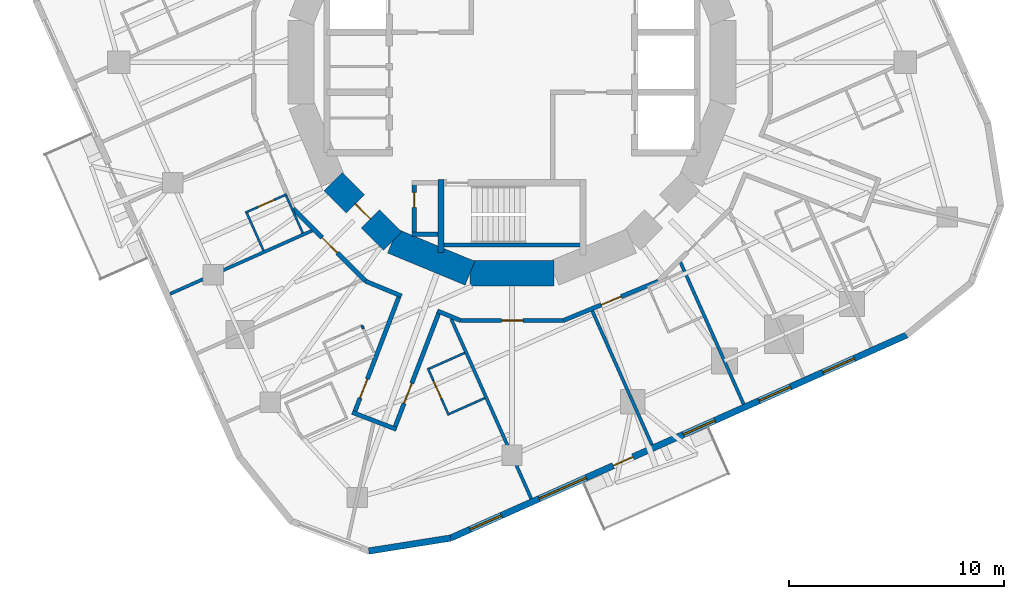
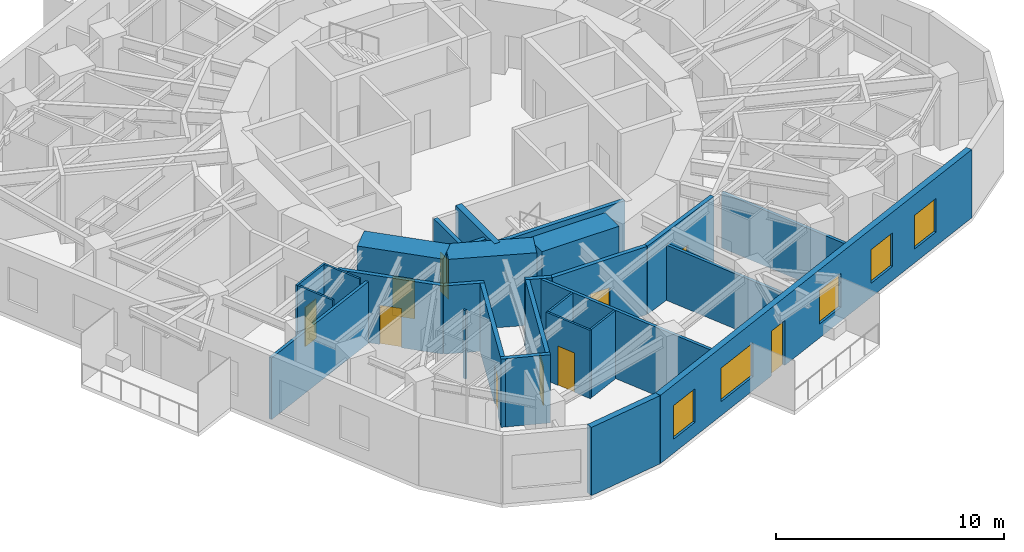
# One storey, part 5 of 12: 28 walls, 10 doors, 5 windows, 15 openings.
"""IFC4 building model written with IfcOpenShell, lengths in metres."""

from ifc_helpers import new_model, si_unit, direction, frame, frame_2d, origin, place, context, subcontext, project, spatial, rectangle, extrude, material, layer, layer_set, type_object, element, fill, save


model = new_model("IFC4")

# Units and contexts
model_context = context("Model", 3, precision=1e-05, world=origin(), true_north=direction((0.0, 1.0)))
body_context = subcontext(model_context, "Body", "Model", "MODEL_VIEW")
ifc_project = project(units=[si_unit("LENGTHUNIT", "METRE"), si_unit("AREAUNIT", "SQUARE_METRE"), si_unit("VOLUMEUNIT", "CUBIC_METRE"), si_unit("PLANEANGLEUNIT", "RADIAN"), si_unit("MASSUNIT", "GRAM", prefix="KILO")], contexts=[model_context])

# Site, building, storey
site_placement = place(None, origin())
site = spatial("IfcSite", under=ifc_project, at=site_placement, CompositionType="ELEMENT")
building_placement = place(site_placement, origin())
building = spatial("IfcBuilding", under=site, at=building_placement, Name="Nakasero Lantern House", CompositionType="ELEMENT")
storey_placement = place(building_placement, frame((0.0, 0.0, 197.85009765625)))
storey = spatial("IfcBuildingStorey", under=building, at=storey_placement, Name="L48", CompositionType="ELEMENT", Elevation=197.85009765625)

# Wall
ifc_material_1 = material(Name="Concrete C50/60", Category="concrete")
ifc_layer_1 = layer(ifc_material_1, 0.300048828125)
ifc_layer_set_1 = layer_set([ifc_layer_1], Name="Core inner wall 300")
wall_type_1 = type_object("IfcWallType", Name="Core inner wall 300", PredefinedType="SHEAR", material=ifc_layer_set_1)
wall_1_placement = place(storey_placement, frame((-3.300048828125, -5.449951171875, 0.0), z_axis=(0.0, 0.0, 1.0), x_axis=(0.0, -1.0, 0.0)))
element("IfcWall", 1, at=wall_1_placement, inside=storey, type_object=wall_type_1, Name="Core inner wall L48 SSW", PredefinedType="SHEAR", context=body_context, shape_type="SweptSolid", body=[
    extrude(rectangle(XDim=3.400146484375, YDim=0.300048828125, at=frame_2d((1.7001953125, 0.0))), origin(), (0.0, 0.0, 1.0), 3.849853515625),
])

# Wall, opening, door
ifc_material_2 = material(Name="Concrete C50/60", Category="concrete")
ifc_layer_2 = layer(ifc_material_2, 1.199951171875)
ifc_layer_set_2 = layer_set([ifc_layer_2], Name="Core wall 1200")
wall_type_2 = type_object("IfcWallType", Name="Core wall 1200", PredefinedType="SHEAR", material=ifc_layer_set_2)
wall_2_placement = place(storey_placement, frame((-8.314697265625, -5.5556640625, 0.0), z_axis=(0.0, 0.0, 1.0), x_axis=(0.707106781187, -0.707106781187, 0.0)))
wall_2 = element("IfcWall", 2, at=wall_2_placement, inside=storey, type_object=wall_type_2, Name="Core wall L48 facet 10", PredefinedType="SHEAR", context=body_context, shape_type="SweptSolid", body=[
    extrude(rectangle(XDim=3.90185546875, YDim=1.199951171875, at=frame_2d((1.950927734375, 0.0))), origin(), (0.0, 0.0, 1.0), 3.849853515625),
])
opening_1_placement = place(wall_2_placement, frame((1.450927734375, 0.0, 0.0)))
opening_1 = element("IfcOpeningElement", 3, at=opening_1_placement, cuts=wall_2, Name="Opening D05", PredefinedType="OPENING", context=body_context, shape_type="SweptSolid", body=[
    extrude(rectangle(XDim=1.0, YDim=2.10009765625, at=frame_2d((0.5, 1.050048828125))), frame((0.0, 0.619873046875, 0.0), z_axis=(0.0, -1.0, 0.0), x_axis=(1.0, 0.0, 0.0)), (0.0, 0.0, 1.0), 1.239990234375),
])
ifc_material_3 = material(Name="Timber C24", Category="wood")
door_type_1 = type_object("IfcDoorType", Name="Core door FD60S 1000", OperationType="SINGLE_SWING_LEFT", PredefinedType="DOOR", material=ifc_material_3)
door_1_placement = place(opening_1_placement, origin())
door_1 = element("IfcDoor", 4, at=door_1_placement, inside=storey, type_object=door_type_1, Name="Door L48 D-CORE10", OperationType="SINGLE_SWING_LEFT", OverallHeight=2.10009765625, OverallWidth=1.0, PredefinedType="DOOR", context=body_context, shape_type="SweptSolid", body=[
    extrude(rectangle(XDim=1.0, YDim=2.10009765625, at=frame_2d((0.5, 1.050048828125))), frame((0.0, 0.02490234375, 0.0), z_axis=(0.0, -1.0, 0.0), x_axis=(1.0, 0.0, 0.0)), (0.0, 0.0, 1.0), 0.050048828125),
])
fill(opening_1, door_1)

# Walls
for number, where, z_axis, x_axis, name in (
    (5, (-5.5556640625, -8.314697265625, 0.0), (0.0, 0.0, 1.0), (0.923876507187, -0.382690736062, 0.0), "Core wall L48 facet 11"),
    (6, (-1.950927734375, -9.807861328125, 0.0), (0.0, 0.0, 1.0), (1.0, 0.0, 0.0), "Core wall L48 facet 12"),
):
    element("IfcWall", number, at=place(storey_placement, frame(where, z_axis=z_axis, x_axis=x_axis)), inside=storey, type_object=wall_type_2, Name=name, PredefinedType="SHEAR", context=body_context, shape_type="SweptSolid", body=[
        extrude(rectangle(XDim=3.90185546875, YDim=1.199951171875, at=frame_2d((1.950927734375, 0.0))), origin(), (0.0, 0.0, 1.0), 3.849853515625),
    ])

# Wall, opening, door
ifc_material_4 = material(Name="Blockwork", Category="masonry")
ifc_layer_3 = layer(ifc_material_4, 0.199951171875)
ifc_layer_set_3 = layer_set([ifc_layer_3], Name="Corridor wall 200")
wall_type_3 = type_object("IfcWallType", Name="Corridor wall 200", PredefinedType="PARTITIONING", material=ifc_layer_set_3)
wall_3_placement = place(storey_placement, frame((6.802001953125, -10.1796875, 0.0), z_axis=(0.0, 0.0, 1.0), x_axis=(-0.923882292998, -0.382676767893, 0.0)))
wall_3 = element("IfcWall", 7, at=wall_3_placement, inside=storey, type_object=wall_type_3, Name="Corridor wall L48 RC03a", PredefinedType="PARTITIONING", context=body_context, shape_type="SweptSolid", body=[
    extrude(rectangle(XDim=4.777099609375, YDim=0.199951171875, at=frame_2d((2.388671875, 0.0))), origin(), (0.0, 0.0, 1.0), 3.64990234375),
])
opening_2_placement = place(wall_3_placement, frame((1.8701171875, 0.0, 0.0)))
opening_2 = element("IfcOpeningElement", 8, at=opening_2_placement, cuts=wall_3, Name="Opening D07", PredefinedType="OPENING", context=body_context, shape_type="SweptSolid", body=[
    extrude(rectangle(XDim=1.0, YDim=2.10009765625, at=frame_2d((0.5, 1.050048828125))), frame((0.0, 0.119873046875, 0.0), z_axis=(0.0, -1.0, 0.0), x_axis=(1.0, 0.0, 0.0)), (0.0, 0.0, 1.0), 0.239990234375),
])
ifc_material_5 = material(Name="Timber C24", Category="wood")
door_type_2 = type_object("IfcDoorType", Name="Room door FD30S 1000", OperationType="SINGLE_SWING_LEFT", PredefinedType="DOOR", material=ifc_material_5)
door_2_placement = place(opening_2_placement, origin())
door_2 = element("IfcDoor", 9, at=door_2_placement, inside=storey, type_object=door_type_2, Name="Door L48 D3-03", OperationType="SINGLE_SWING_LEFT", OverallHeight=2.10009765625, OverallWidth=1.0, PredefinedType="DOOR", context=body_context, shape_type="SweptSolid", body=[
    extrude(rectangle(XDim=1.0, YDim=2.10009765625, at=frame_2d((0.5, 1.050048828125))), frame((0.0, 0.02490234375, 0.0), z_axis=(0.0, -1.0, 0.0), x_axis=(1.0, 0.0, 0.0)), (0.0, 0.0, 1.0), 0.050048828125),
])
fill(opening_2, door_2)

wall_4_placement = place(storey_placement, frame((2.388427734375, -12.0078125, 0.0), z_axis=(0.0, 0.0, 1.0), x_axis=(-1.0, 0.0, 0.0)))
wall_4 = element("IfcWall", 10, at=wall_4_placement, inside=storey, type_object=wall_type_3, Name="Corridor wall L48 RC04a", PredefinedType="PARTITIONING", context=body_context, shape_type="SweptSolid", body=[
    extrude(rectangle(XDim=4.77685546875, YDim=0.199951171875, at=frame_2d((2.388427734375, 0.0))), origin(), (0.0, 0.0, 1.0), 3.64990234375),
])
opening_3_placement = place(wall_4_placement, frame((1.8701171875, 0.0, 0.0)))
opening_3 = element("IfcOpeningElement", 11, at=opening_3_placement, cuts=wall_4, Name="Opening D03", PredefinedType="OPENING", context=body_context, shape_type="SweptSolid", body=[
    extrude(rectangle(XDim=1.0, YDim=2.10009765625, at=frame_2d((0.5, 1.050048828125))), frame((0.0, 0.119873046875, 0.0), z_axis=(0.0, -1.0, 0.0), x_axis=(1.0, 0.0, 0.0)), (0.0, 0.0, 1.0), 0.239990234375),
])
ifc_material_6 = material(Name="Timber C24", Category="wood")
door_type_3 = type_object("IfcDoorType", Name="Lounge door FD30S 1000", OperationType="SINGLE_SWING_LEFT", PredefinedType="DOOR", material=ifc_material_6)
door_3_placement = place(opening_3_placement, origin())
door_3 = element("IfcDoor", 12, at=door_3_placement, inside=storey, type_object=door_type_3, Name="Door L48 DK3", OperationType="SINGLE_SWING_LEFT", OverallHeight=2.10009765625, OverallWidth=1.0, PredefinedType="DOOR", context=body_context, shape_type="SweptSolid", body=[
    extrude(rectangle(XDim=1.0, YDim=2.10009765625, at=frame_2d((0.5, 1.050048828125))), frame((0.0, 0.02490234375, 0.0), z_axis=(0.0, -1.0, 0.0), x_axis=(1.0, 0.0, 0.0)), (0.0, 0.0, 1.0), 0.050048828125),
])
fill(opening_3, door_3)

# Walls
wall_5_placement = place(storey_placement, frame((-2.388427734375, -12.0078125, 0.0), z_axis=(0.0, 0.0, 1.0), x_axis=(-0.923874873612, 0.382694679749, 0.0)))
element("IfcWall", 13, at=wall_5_placement, inside=storey, type_object=wall_type_3, Name="Corridor wall L48 RC05a", PredefinedType="PARTITIONING", context=body_context, shape_type="SweptSolid", body=[
    extrude(rectangle(XDim=1.173828125, YDim=0.199951171875, at=frame_2d((0.5869140625, 0.0))), origin(), (0.0, 0.0, 1.0), 3.64990234375),
])
wall_6_placement = place(storey_placement, frame((-5.136474609375, -10.86962890625, 0.0), z_axis=(0.0, 0.0, 1.0), x_axis=(-0.923868276622, 0.382710605355, 0.0)))
element("IfcWall", 14, at=wall_6_placement, inside=storey, type_object=wall_type_3, Name="Corridor wall L48 RC05b", PredefinedType="PARTITIONING", context=body_context, shape_type="SweptSolid", body=[
    extrude(rectangle(XDim=1.802734375, YDim=0.199951171875, at=frame_2d((0.9013671875, 0.0))), origin(), (0.0, 0.0, 1.0), 3.64990234375),
])

# Wall, opening, door
wall_7_placement = place(storey_placement, frame((-6.802001953125, -10.1796875, 0.0), z_axis=(0.0, 0.0, 1.0), x_axis=(-0.707106781187, 0.707106781187, 0.0)))
wall_7 = element("IfcWall", 15, at=wall_7_placement, inside=storey, type_object=wall_type_3, Name="Corridor wall L48 RC06a", PredefinedType="PARTITIONING", context=body_context, shape_type="SweptSolid", body=[
    extrude(rectangle(XDim=4.77685546875, YDim=0.199951171875, at=frame_2d((2.388427734375, 0.0))), origin(), (0.0, 0.0, 1.0), 3.64990234375),
])
opening_4_placement = place(wall_7_placement, frame((1.8701171875, 0.0, 0.0)))
opening_4 = element("IfcOpeningElement", 16, at=opening_4_placement, cuts=wall_7, Name="Opening D14", PredefinedType="OPENING", context=body_context, shape_type="SweptSolid", body=[
    extrude(rectangle(XDim=1.0, YDim=2.10009765625, at=frame_2d((0.5, 1.050048828125))), frame((0.0, 0.119873046875, 0.0), z_axis=(0.0, -1.0, 0.0), x_axis=(1.0, 0.0, 0.0)), (0.0, 0.0, 1.0), 0.239990234375),
])
ifc_material_7 = material(Name="Timber C24", Category="wood")
door_type_4 = type_object("IfcDoorType", Name="Cluster entrance door FD30S 1000", OperationType="SINGLE_SWING_LEFT", PredefinedType="DOOR", material=ifc_material_7)
door_4_placement = place(opening_4_placement, origin())
door_4 = element("IfcDoor", 17, at=door_4_placement, inside=storey, type_object=door_type_4, Name="Door L48 D2-04", OperationType="SINGLE_SWING_LEFT", OverallHeight=2.10009765625, OverallWidth=1.0, PredefinedType="DOOR", context=body_context, shape_type="SweptSolid", body=[
    extrude(rectangle(XDim=1.0, YDim=2.10009765625, at=frame_2d((0.5, 1.050048828125))), frame((0.0, 0.02490234375, 0.0), z_axis=(0.0, -1.0, 0.0), x_axis=(1.0, 0.0, 0.0)), (0.0, 0.0, 1.0), 0.050048828125),
])
fill(opening_4, door_4)

wall_8_placement = place(storey_placement, frame((-5.22900390625, -10.831298828125, 0.0), z_axis=(0.0, 0.0, 1.0), x_axis=(-0.358357154711, -0.933584570174, 0.0)))
wall_8 = element("IfcWall", 18, at=wall_8_placement, inside=storey, type_object=wall_type_3, Name="Corridor wall L48 SP2a", PredefinedType="PARTITIONING", context=body_context, shape_type="SweptSolid", body=[
    extrude(rectangle(XDim=5.97216796875, YDim=0.199951171875, at=frame_2d((2.986083984375, 0.0))), origin(), (0.0, 0.0, 1.0), 3.64990234375),
])
opening_5_placement = place(wall_8_placement, frame((4.169921875, 0.0, 0.0)))
opening_5 = element("IfcOpeningElement", 19, at=opening_5_placement, cuts=wall_8, Name="Opening D01", PredefinedType="OPENING", context=body_context, shape_type="SweptSolid", body=[
    extrude(rectangle(XDim=0.949951171875, YDim=2.10009765625, at=frame_2d((0.47509765625, 1.050048828125))), frame((0.0, 0.119873046875, 0.0), z_axis=(0.0, -1.0, 0.0), x_axis=(1.0, 0.0, 0.0)), (0.0, 0.0, 1.0), 0.239990234375),
])
ifc_material_8 = material(Name="Timber C24", Category="wood")
door_type_5 = type_object("IfcDoorType", Name="Bedroom door FD30S 950", OperationType="SINGLE_SWING_LEFT", PredefinedType="DOOR", material=ifc_material_8)
door_5_placement = place(opening_5_placement, origin())
door_5 = element("IfcDoor", 20, at=door_5_placement, inside=storey, type_object=door_type_5, Name="Door L48 D2-06", OperationType="SINGLE_SWING_RIGHT", OverallHeight=2.10009765625, OverallWidth=0.949951171875, PredefinedType="DOOR", context=body_context, shape_type="SweptSolid", body=[
    extrude(rectangle(XDim=0.949951171875, YDim=2.10009765625, at=frame_2d((0.47509765625, 1.050048828125))), frame((0.0, 0.02490234375, 0.0), z_axis=(0.0, -1.0, 0.0), x_axis=(1.0, 0.0, 0.0)), (0.0, 0.0, 1.0), 0.050048828125),
])
fill(opening_5, door_5)

wall_9_placement = place(storey_placement, frame((-3.380615234375, -11.596923828125, 0.0), z_axis=(0.0, 0.0, 1.0), x_axis=(-0.358362690674, -0.933582445172, 0.0)))
wall_9 = element("IfcWall", 21, at=wall_9_placement, inside=storey, type_object=wall_type_3, Name="Corridor wall L48 SP2b", PredefinedType="PARTITIONING", context=body_context, shape_type="SweptSolid", body=[
    extrude(rectangle(XDim=5.91943359375, YDim=0.199951171875, at=frame_2d((2.959716796875, 0.0))), origin(), (0.0, 0.0, 1.0), 3.64990234375),
])
opening_6_placement = place(wall_9_placement, frame((3.570068359375, 0.0, 0.0)))
opening_6 = element("IfcOpeningElement", 22, at=opening_6_placement, cuts=wall_9, Name="Opening D07", PredefinedType="OPENING", context=body_context, shape_type="SweptSolid", body=[
    extrude(rectangle(XDim=1.0, YDim=2.10009765625, at=frame_2d((0.5, 1.050048828125))), frame((0.0, 0.119873046875, 0.0), z_axis=(0.0, -1.0, 0.0), x_axis=(1.0, 0.0, 0.0)), (0.0, 0.0, 1.0), 0.239990234375),
])
door_6_placement = place(opening_6_placement, origin())
door_6 = element("IfcDoor", 23, at=door_6_placement, inside=storey, type_object=door_type_2, Name="Door L48 D3-00", OperationType="SINGLE_SWING_RIGHT", OverallHeight=2.10009765625, OverallWidth=1.0, PredefinedType="DOOR", context=body_context, shape_type="SweptSolid", body=[
    extrude(rectangle(XDim=1.0, YDim=2.10009765625, at=frame_2d((0.5, 1.050048828125))), frame((0.0, 0.02490234375, 0.0), z_axis=(0.0, -1.0, 0.0), x_axis=(1.0, 0.0, 0.0)), (0.0, 0.0, 1.0), 0.050048828125),
])
fill(opening_6, door_6)

# Wall
wall_10_placement = place(storey_placement, frame((-7.426513671875, -16.277587890625, 0.0), z_axis=(0.0, 0.0, 1.0), x_axis=(0.933582812604, -0.358361733464, 0.0)))
element("IfcWall", 24, at=wall_10_placement, inside=storey, type_object=wall_type_3, Name="Corridor wall L48 SP2e", PredefinedType="PARTITIONING", context=body_context, shape_type="SweptSolid", body=[
    extrude(rectangle(XDim=2.19970703125, YDim=0.199951171875, at=frame_2d((1.099853515625, 0.0))), origin(), (0.0, 0.0, 1.0), 3.64990234375),
])

# Wall, opening, door
ifc_material_9 = material(Name="Blockwork", Category="masonry")
ifc_layer_4 = layer(ifc_material_9, 0.10009765625)
ifc_layer_set_4 = layer_set([ifc_layer_4], Name="En-suite wall 100")
wall_type_4 = type_object("IfcWallType", Name="En-suite wall 100", PredefinedType="PARTITIONING", material=ifc_layer_set_4)
wall_11_placement = place(storey_placement, frame((-10.475341796875, -6.138916015625, 0.0), z_axis=(0.0, 0.0, 1.0), x_axis=(-0.913528480824, -0.406774771494, 0.0)))
wall_11 = element("IfcWall", 25, at=wall_11_placement, inside=storey, type_object=wall_type_4, Name="En-suite wall L48 ES2-03", PredefinedType="PARTITIONING", context=body_context, shape_type="SweptSolid", body=[
    extrude(rectangle(XDim=2.10009765625, YDim=0.10009765625, at=frame_2d((1.050048828125, 0.0))), origin(), (0.0, 0.0, 1.0), 3.64990234375),
])
opening_7_placement = place(wall_11_placement, frame((0.64990234375, 0.0, 0.0)))
opening_7 = element("IfcOpeningElement", 26, at=opening_7_placement, cuts=wall_11, Name="Opening D02", PredefinedType="OPENING", context=body_context, shape_type="SweptSolid", body=[
    extrude(rectangle(XDim=0.800048828125, YDim=2.10009765625, at=frame_2d((0.39990234375, 1.050048828125))), frame((0.0, 0.070068359375, 0.0), z_axis=(0.0, -1.0, 0.0), x_axis=(1.0, 0.0, 0.0)), (0.0, 0.0, 1.0), 0.14013671875),
])
ifc_material_10 = material(Name="Timber C24", Category="wood")
door_type_6 = type_object("IfcDoorType", Name="En-suite door 800", OperationType="SINGLE_SWING_RIGHT", PredefinedType="DOOR", material=ifc_material_10)
door_7_placement = place(opening_7_placement, origin())
door_7 = element("IfcDoor", 27, at=door_7_placement, inside=storey, type_object=door_type_6, Name="Door L48 DE2-03", OperationType="SINGLE_SWING_LEFT", OverallHeight=2.10009765625, OverallWidth=0.800048828125, PredefinedType="DOOR", context=body_context, shape_type="SweptSolid", body=[
    extrude(rectangle(XDim=0.800048828125, YDim=2.10009765625, at=frame_2d((0.39990234375, 1.050048828125))), frame((0.0, 0.02490234375, 0.0), z_axis=(0.0, -1.0, 0.0), x_axis=(1.0, 0.0, 0.0)), (0.0, 0.0, 1.0), 0.050048828125),
])
fill(opening_7, door_7)

# Walls
for number, where, z_axis, x_axis, name in (
    (28, (-12.327880859375, -7.0185546875, 0.0), (0.0, 0.0, 1.0), (0.406722623293, -0.913551699523, 0.0), "En-suite wall L48 EE2-03"),
    (29, (-10.500732421875, -6.205078125, 0.0), (0.0, 0.0, 1.0), (0.406722623293, -0.913551699523, 0.0), "En-suite wall L48 EI2-03"),
):
    element("IfcWall", number, at=place(storey_placement, frame(where, z_axis=z_axis, x_axis=x_axis)), inside=storey, type_object=wall_type_4, Name=name, PredefinedType="PARTITIONING", context=body_context, shape_type="SweptSolid", body=[
        extrude(rectangle(XDim=1.89990234375, YDim=0.10009765625, at=frame_2d((0.949951171875, 0.0))), origin(), (0.0, 0.0, 1.0), 3.64990234375),
    ])

# Wall, opening, door
wall_12_placement = place(storey_placement, frame((-3.914306640625, -14.2216796875, 0.0), z_axis=(0.0, 0.0, 1.0), x_axis=(0.406723602621, -0.913551263516, 0.0)))
wall_12 = element("IfcWall", 30, at=wall_12_placement, inside=storey, type_object=wall_type_4, Name="En-suite wall L48 ES3-00", PredefinedType="PARTITIONING", context=body_context, shape_type="SweptSolid", body=[
    extrude(rectangle(XDim=2.39990234375, YDim=0.10009765625, at=frame_2d((1.199951171875, 0.0))), origin(), (0.0, 0.0, 1.0), 3.64990234375),
])
opening_8_placement = place(wall_12_placement, frame((0.64990234375, 0.0, 0.0)))
opening_8 = element("IfcOpeningElement", 31, at=opening_8_placement, cuts=wall_12, Name="Opening D16", PredefinedType="OPENING", context=body_context, shape_type="SweptSolid", body=[
    extrude(rectangle(XDim=0.89990234375, YDim=2.10009765625, at=frame_2d((0.449951171875, 1.050048828125))), frame((0.0, 0.070068359375, 0.0), z_axis=(0.0, -1.0, 0.0), x_axis=(1.0, 0.0, 0.0)), (0.0, 0.0, 1.0), 0.14013671875),
])
ifc_material_11 = material(Name="Timber C24", Category="wood")
door_type_7 = type_object("IfcDoorType", Name="Accessible WC door 900", OperationType="SINGLE_SWING_RIGHT", PredefinedType="DOOR", material=ifc_material_11)
door_8_placement = place(opening_8_placement, origin())
door_8 = element("IfcDoor", 32, at=door_8_placement, inside=storey, type_object=door_type_7, Name="Door L48 DE3-00", OperationType="SINGLE_SWING_LEFT", OverallHeight=2.10009765625, OverallWidth=0.89990234375, PredefinedType="DOOR", context=body_context, shape_type="SweptSolid", body=[
    extrude(rectangle(XDim=0.89990234375, YDim=2.10009765625, at=frame_2d((0.449951171875, 1.050048828125))), frame((0.0, 0.02490234375, 0.0), z_axis=(0.0, -1.0, 0.0), x_axis=(1.0, 0.0, 0.0)), (0.0, 0.0, 1.0), 0.050048828125),
])
fill(opening_8, door_8)

# Walls
wall_13_placement = place(storey_placement, frame((-2.912841796875, -16.34814453125, 0.0), z_axis=(0.0, 0.0, 1.0), x_axis=(0.913548502595, 0.406729803932, 0.0)))
element("IfcWall", 33, at=wall_13_placement, inside=storey, type_object=wall_type_4, Name="En-suite wall L48 EE3-00", PredefinedType="PARTITIONING", context=body_context, shape_type="SweptSolid", body=[
    extrude(rectangle(XDim=1.800048828125, YDim=0.10009765625, at=frame_2d((0.89990234375, 0.0))), origin(), (0.0, 0.0, 1.0), 3.64990234375),
])
wall_14_placement = place(storey_placement, frame((-3.84814453125, -14.246826171875, 0.0), z_axis=(0.0, 0.0, 1.0), x_axis=(0.913576462288, 0.406666998358, 0.0)))
element("IfcWall", 34, at=wall_14_placement, inside=storey, type_object=wall_type_4, Name="En-suite wall L48 EI3-00", PredefinedType="PARTITIONING", context=body_context, shape_type="SweptSolid", body=[
    extrude(rectangle(XDim=1.7998046875, YDim=0.10009765625, at=frame_2d((0.89990234375, 0.0))), origin(), (0.0, 0.0, 1.0), 3.64990234375),
])
wall_15_placement = place(storey_placement, frame((-6.974853515625, -12.23974609375, 0.0), z_axis=(0.0, 0.0, 1.0), x_axis=(0.405855313637, -0.913937341612, 0.0)))
element("IfcWall", 35, at=wall_15_placement, inside=storey, type_object=wall_type_4, Name="En-suite wall L48 ES2-05R0", PredefinedType="PARTITIONING", context=body_context, shape_type="SweptSolid", body=[
    extrude(rectangle(XDim=0.159912109375, YDim=0.10009765625, at=frame_2d((0.080078125, 0.0))), origin(), (0.0, 0.0, 1.0), 3.64990234375),
])
ifc_material_12 = material(Name="Aluminium rainscreen on blockwork", Category="masonry")
ifc_layer_5 = layer(ifc_material_12, 0.300048828125)
ifc_layer_set_5 = layer_set([ifc_layer_5], Name="Facade wall 300")
wall_type_5 = type_object("IfcWallType", Name="Facade wall 300", PredefinedType="SOLIDWALL", material=ifc_layer_set_5)
wall_16_placement = place(storey_placement, frame((-6.65771484375, -22.724365234375, 0.0), z_axis=(0.0, 0.0, 1.0), x_axis=(0.987687906802, 0.156437203878, 0.0)))
element("IfcWall", 36, at=wall_16_placement, inside=storey, type_object=wall_type_5, Name="Facade wall L48 FW2C3", PredefinedType="SOLIDWALL", context=body_context, shape_type="SweptSolid", body=[
    extrude(rectangle(XDim=3.856201171875, YDim=0.300048828125, at=frame_2d((1.92822265625, 0.0))), origin(), (0.0, 0.0, 1.0), 3.64990234375),
])

# Wall, openings, door, windows
wall_17_placement = place(storey_placement, frame((-2.848876953125, -22.12109375, 0.0), z_axis=(0.0, 0.0, 1.0), x_axis=(0.913546210851, 0.406734951338, 0.0)))
wall_17 = element("IfcWall", 37, at=wall_17_placement, inside=storey, type_object=wall_type_5, Name="Facade wall L48 FW3S", PredefinedType="SOLIDWALL", context=body_context, shape_type="SweptSolid", body=[
    extrude(rectangle(XDim=23.199951171875, YDim=0.300048828125, at=frame_2d((11.60009765625, 0.0))), origin(), (0.0, 0.0, 1.0), 3.64990234375),
])
opening_9_placement = place(wall_17_placement, frame((0.982421875, 0.0, 0.75)))
opening_9 = element("IfcOpeningElement", 38, at=opening_9_placement, cuts=wall_17, Name="Opening W01", PredefinedType="OPENING", context=body_context, shape_type="SweptSolid", body=[
    extrude(rectangle(XDim=1.60009765625, YDim=1.800048828125, at=frame_2d((0.800048828125, 0.89990234375))), frame((0.0, 0.169921875, 0.0), z_axis=(0.0, -1.0, 0.0), x_axis=(1.0, 0.0, 0.0)), (0.0, 0.0, 1.0), 0.340087890625),
])
opening_10_placement = place(wall_17_placement, frame((11.83984375, 0.0, 0.75)))
opening_10 = element("IfcOpeningElement", 39, at=opening_10_placement, cuts=wall_17, Name="Opening W01", PredefinedType="OPENING", context=body_context, shape_type="SweptSolid", body=[
    extrude(rectangle(XDim=1.60009765625, YDim=1.800048828125, at=frame_2d((0.800048828125, 0.89990234375))), frame((0.0, 0.169921875, 0.0), z_axis=(0.0, -1.0, 0.0), x_axis=(1.0, 0.0, 0.0)), (0.0, 0.0, 1.0), 0.340087890625),
])
opening_11_placement = place(wall_17_placement, frame((15.69140625, 0.0, 0.75)))
opening_11 = element("IfcOpeningElement", 40, at=opening_11_placement, cuts=wall_17, Name="Opening W01", PredefinedType="OPENING", context=body_context, shape_type="SweptSolid", body=[
    extrude(rectangle(XDim=1.60009765625, YDim=1.800048828125, at=frame_2d((0.800048828125, 0.89990234375))), frame((0.0, 0.169921875, 0.0), z_axis=(0.0, -1.0, 0.0), x_axis=(1.0, 0.0, 0.0)), (0.0, 0.0, 1.0), 0.340087890625),
])
opening_12_placement = place(wall_17_placement, frame((18.940185546875, 0.0, 0.75)))
opening_12 = element("IfcOpeningElement", 41, at=opening_12_placement, cuts=wall_17, Name="Opening W01", PredefinedType="OPENING", context=body_context, shape_type="SweptSolid", body=[
    extrude(rectangle(XDim=1.60009765625, YDim=1.800048828125, at=frame_2d((0.800048828125, 0.89990234375))), frame((0.0, 0.169921875, 0.0), z_axis=(0.0, -1.0, 0.0), x_axis=(1.0, 0.0, 0.0)), (0.0, 0.0, 1.0), 0.340087890625),
])
opening_13_placement = place(wall_17_placement, frame((4.500244140625, 0.0, 0.75)))
opening_13 = element("IfcOpeningElement", 42, at=opening_13_placement, cuts=wall_17, Name="Opening W03", PredefinedType="OPENING", context=body_context, shape_type="SweptSolid", body=[
    extrude(rectangle(XDim=2.39990234375, YDim=1.800048828125, at=frame_2d((1.199951171875, 0.89990234375))), frame((0.0, 0.169921875, 0.0), z_axis=(0.0, -1.0, 0.0), x_axis=(1.0, 0.0, 0.0)), (0.0, 0.0, 1.0), 0.340087890625),
])
opening_14_placement = place(wall_17_placement, frame((8.271484375, 0.0, 0.0)))
opening_14 = element("IfcOpeningElement", 43, at=opening_14_placement, cuts=wall_17, Name="Opening D04", PredefinedType="OPENING", context=body_context, shape_type="SweptSolid", body=[
    extrude(rectangle(XDim=1.0, YDim=2.39990234375, at=frame_2d((0.5, 1.199951171875))), frame((0.0, 0.169921875, 0.0), z_axis=(0.0, -1.0, 0.0), x_axis=(1.0, 0.0, 0.0)), (0.0, 0.0, 1.0), 0.340087890625),
])
ifc_material_13 = material(Name="Aluminium 6063-T6 and glass", Category="aluminium")
door_type_8 = type_object("IfcDoorType", Name="Balcony door 1000x2400", OperationType="SINGLE_SWING_RIGHT", PredefinedType="DOOR", material=ifc_material_13)
door_9_placement = place(opening_14_placement, origin())
door_9 = element("IfcDoor", 44, at=door_9_placement, inside=storey, type_object=door_type_8, Name="Balcony door L48 DB3", OperationType="SINGLE_SWING_RIGHT", OverallHeight=2.39990234375, OverallWidth=1.0, PredefinedType="DOOR", context=body_context, shape_type="SweptSolid", body=[
    extrude(rectangle(XDim=1.0, YDim=2.39990234375, at=frame_2d((0.5, 1.199951171875))), frame((0.0, 0.02490234375, 0.0), z_axis=(0.0, -1.0, 0.0), x_axis=(1.0, 0.0, 0.0)), (0.0, 0.0, 1.0), 0.050048828125),
])
fill(opening_14, door_9)
ifc_material_14 = material(Name="Aluminium 6063-T6 and glass", Category="aluminium")
window_type_1 = type_object("IfcWindowType", Name="Bedroom window 1600x1800", PartitioningType="SINGLE_PANEL", PredefinedType="WINDOW", material=ifc_material_14)
window_1_placement = place(opening_9_placement, origin())
window_1 = element("IfcWindow", 45, at=window_1_placement, inside=storey, type_object=window_type_1, Name="Window L48 WN3-00", OverallHeight=1.800048828125, OverallWidth=1.60009765625, PartitioningType="SINGLE_PANEL", PredefinedType="WINDOW", context=body_context, shape_type="SweptSolid", body=[
    extrude(rectangle(XDim=1.60009765625, YDim=1.800048828125, at=frame_2d((0.800048828125, 0.89990234375))), frame((0.0, 0.030029296875, 0.0), z_axis=(0.0, -1.0, 0.0), x_axis=(1.0, 0.0, 0.0)), (0.0, 0.0, 1.0), 0.06005859375),
])
fill(opening_9, window_1)
window_2_placement = place(opening_10_placement, origin())
window_2 = element("IfcWindow", 46, at=window_2_placement, inside=storey, type_object=window_type_1, Name="Window L48 WN3-03", OverallHeight=1.800048828125, OverallWidth=1.60009765625, PartitioningType="SINGLE_PANEL", PredefinedType="WINDOW", context=body_context, shape_type="SweptSolid", body=[
    extrude(rectangle(XDim=1.60009765625, YDim=1.800048828125, at=frame_2d((0.800048828125, 0.89990234375))), frame((0.0, 0.030029296875, 0.0), z_axis=(0.0, -1.0, 0.0), x_axis=(1.0, 0.0, 0.0)), (0.0, 0.0, 1.0), 0.06005859375),
])
fill(opening_10, window_2)
window_3_placement = place(opening_11_placement, origin())
window_3 = element("IfcWindow", 47, at=window_3_placement, inside=storey, type_object=window_type_1, Name="Window L48 WN3-04", OverallHeight=1.800048828125, OverallWidth=1.60009765625, PartitioningType="SINGLE_PANEL", PredefinedType="WINDOW", context=body_context, shape_type="SweptSolid", body=[
    extrude(rectangle(XDim=1.60009765625, YDim=1.800048828125, at=frame_2d((0.800048828125, 0.89990234375))), frame((0.0, 0.030029296875, 0.0), z_axis=(0.0, -1.0, 0.0), x_axis=(1.0, 0.0, 0.0)), (0.0, 0.0, 1.0), 0.06005859375),
])
fill(opening_11, window_3)
window_4_placement = place(opening_12_placement, origin())
window_4 = element("IfcWindow", 48, at=window_4_placement, inside=storey, type_object=window_type_1, Name="Window L48 WN3-05", OverallHeight=1.800048828125, OverallWidth=1.60009765625, PartitioningType="SINGLE_PANEL", PredefinedType="WINDOW", context=body_context, shape_type="SweptSolid", body=[
    extrude(rectangle(XDim=1.60009765625, YDim=1.800048828125, at=frame_2d((0.800048828125, 0.89990234375))), frame((0.0, 0.030029296875, 0.0), z_axis=(0.0, -1.0, 0.0), x_axis=(1.0, 0.0, 0.0)), (0.0, 0.0, 1.0), 0.06005859375),
])
fill(opening_12, window_4)
ifc_material_15 = material(Name="Aluminium 6063-T6 and glass", Category="aluminium")
window_type_2 = type_object("IfcWindowType", Name="Lounge window 2400x1800", PartitioningType="SINGLE_PANEL", PredefinedType="WINDOW", material=ifc_material_15)
window_5_placement = place(opening_13_placement, origin())
window_5 = element("IfcWindow", 49, at=window_5_placement, inside=storey, type_object=window_type_2, Name="Window L48 WK3", OverallHeight=1.800048828125, OverallWidth=2.39990234375, PartitioningType="SINGLE_PANEL", PredefinedType="WINDOW", context=body_context, shape_type="SweptSolid", body=[
    extrude(rectangle(XDim=2.39990234375, YDim=1.800048828125, at=frame_2d((1.199951171875, 0.89990234375))), frame((0.0, 0.030029296875, 0.0), z_axis=(0.0, -1.0, 0.0), x_axis=(1.0, 0.0, 0.0)), (0.0, 0.0, 1.0), 0.06005859375),
])
fill(opening_13, window_5)

# Wall, opening, door
ifc_material_16 = material(Name="Blockwork", Category="masonry")
ifc_layer_6 = layer(ifc_material_16, 0.199951171875)
ifc_layer_set_6 = layer_set([ifc_layer_6], Name="Fire lobby wall 200")
wall_type_6 = type_object("IfcWallType", Name="Fire lobby wall 200", PredefinedType="PARTITIONING", material=ifc_layer_set_6)
wall_18_placement = place(storey_placement, frame((-4.550048828125, -5.60009765625, 0.0), z_axis=(0.0, 0.0, 1.0), x_axis=(0.0, -1.0, 0.0)))
wall_18 = element("IfcWall", 50, at=wall_18_placement, inside=storey, type_object=wall_type_6, Name="Fire lobby wall L48 W-RS2W", PredefinedType="PARTITIONING", context=body_context, shape_type="SweptSolid", body=[
    extrude(rectangle(XDim=2.39990234375, YDim=0.199951171875, at=frame_2d((1.199951171875, 0.0))), origin(), (0.0, 0.0, 1.0), 3.64990234375),
])
opening_15_placement = place(wall_18_placement, frame((0.449951171875, 0.0, 0.0)))
opening_15 = element("IfcOpeningElement", 51, at=opening_15_placement, cuts=wall_18, Name="Opening D06", PredefinedType="OPENING", context=body_context, shape_type="SweptSolid", body=[
    extrude(rectangle(XDim=0.699951171875, YDim=2.10009765625, at=frame_2d((0.35009765625, 1.050048828125))), frame((0.0, 0.119873046875, 0.0), z_axis=(0.0, -1.0, 0.0), x_axis=(1.0, 0.0, 0.0)), (0.0, 0.0, 1.0), 0.239990234375),
])
ifc_material_17 = material(Name="Steel S355", Category="steel")
door_type_9 = type_object("IfcDoorType", Name="Riser door FD60 700", OperationType="SINGLE_SWING_LEFT", PredefinedType="DOOR", material=ifc_material_17)
door_10_placement = place(opening_15_placement, origin())
door_10 = element("IfcDoor", 52, at=door_10_placement, inside=storey, type_object=door_type_9, Name="Door L48 D-RS2", OperationType="SINGLE_SWING_LEFT", OverallHeight=2.10009765625, OverallWidth=0.699951171875, PredefinedType="DOOR", context=body_context, shape_type="SweptSolid", body=[
    extrude(rectangle(XDim=0.699951171875, YDim=2.10009765625, at=frame_2d((0.35009765625, 1.050048828125))), frame((0.0, 0.02490234375, 0.0), z_axis=(0.0, -1.0, 0.0), x_axis=(1.0, 0.0, 0.0)), (0.0, 0.0, 1.0), 0.050048828125),
])
fill(opening_15, door_10)

# Walls
wall_19_placement = place(storey_placement, frame((-3.449951171875, -8.0, 0.0), z_axis=(0.0, 0.0, 1.0), x_axis=(-1.0, 0.0, 0.0)))
element("IfcWall", 53, at=wall_19_placement, inside=storey, type_object=wall_type_6, Name="Fire lobby wall L48 W-RS2S", PredefinedType="PARTITIONING", context=body_context, shape_type="SweptSolid", body=[
    extrude(rectangle(XDim=1.199951171875, YDim=0.199951171875, at=frame_2d((0.60009765625, 0.0))), origin(), (0.0, 0.0, 1.0), 3.64990234375),
])
wall_20_placement = place(storey_placement, frame((-3.300048828125, -8.5, 0.0), z_axis=(0.0, 0.0, 1.0), x_axis=(1.0, 0.0, 0.0)))
element("IfcWall", 54, at=wall_20_placement, inside=storey, type_object=wall_type_6, Name="Fire lobby wall L48 W-STS", PredefinedType="PARTITIONING", context=body_context, shape_type="SweptSolid", body=[
    extrude(rectangle(XDim=6.60009765625, YDim=0.199951171875, at=frame_2d((3.300048828125, 0.0))), origin(), (0.0, 0.0, 1.0), 3.64990234375),
])
ifc_material_18 = material(Name="Blockwork", Category="masonry")
ifc_layer_7 = layer(ifc_material_18, 0.14990234375)
ifc_layer_set_7 = layer_set([ifc_layer_7], Name="Party wall 150")
wall_type_7 = type_object("IfcWallType", Name="Party wall 150", PredefinedType="PARTITIONING", material=ifc_layer_set_7)
wall_21_placement = place(storey_placement, frame((-9.293701171875, -7.829345703125, 0.0), z_axis=(0.0, 0.0, 1.0), x_axis=(-0.913535447493, -0.406759125496, 0.0)))
element("IfcWall", 55, at=wall_21_placement, inside=storey, type_object=wall_type_7, Name="Party wall L48 PW2-04", PredefinedType="PARTITIONING", context=body_context, shape_type="SweptSolid", body=[
    extrude(rectangle(XDim=7.225341796875, YDim=0.14990234375, at=frame_2d((3.61279296875, 0.0))), origin(), (0.0, 0.0, 1.0), 3.294921875),
])
wall_22_placement = place(storey_placement, frame((-2.824951171875, -11.935302734375, 0.0), z_axis=(0.0, 0.0, 1.0), x_axis=(0.40672291788, -0.91355156837, 0.0)))
element("IfcWall", 56, at=wall_22_placement, inside=storey, type_object=wall_type_7, Name="Party wall L48 PW3-01", PredefinedType="PARTITIONING", context=body_context, shape_type="SweptSolid", body=[
    extrude(rectangle(XDim=9.1455078125, YDim=0.14990234375, at=frame_2d((4.57275390625, 0.0))), origin(), (0.0, 0.0, 1.0), 3.64990234375),
])
wall_23_placement = place(storey_placement, frame((3.7314453125, -11.559814453125, 0.0), z_axis=(0.0, 0.0, 1.0), x_axis=(0.406739408224, -0.913544226514, 0.0)))
element("IfcWall", 57, at=wall_23_placement, inside=storey, type_object=wall_type_7, Name="Party wall L48 PW3-03", PredefinedType="PARTITIONING", context=body_context, shape_type="SweptSolid", body=[
    extrude(rectangle(XDim=6.82177734375, YDim=0.14990234375, at=frame_2d((3.410888671875, 0.0))), origin(), (0.0, 0.0, 1.0), 2.95703125),
])
wall_24_placement = place(storey_placement, frame((7.829345703125, -9.293701171875, 0.0), z_axis=(0.0, 0.0, 1.0), x_axis=(0.406759125496, -0.913535447493, 0.0)))
element("IfcWall", 58, at=wall_24_placement, inside=storey, type_object=wall_type_7, Name="Party wall L48 PW3-04", PredefinedType="PARTITIONING", context=body_context, shape_type="SweptSolid", body=[
    extrude(rectangle(XDim=7.225341796875, YDim=0.14990234375, at=frame_2d((3.61279296875, 0.0))), origin(), (0.0, 0.0, 1.0), 2.96630859375),
])

save(model, "model.ifc")
